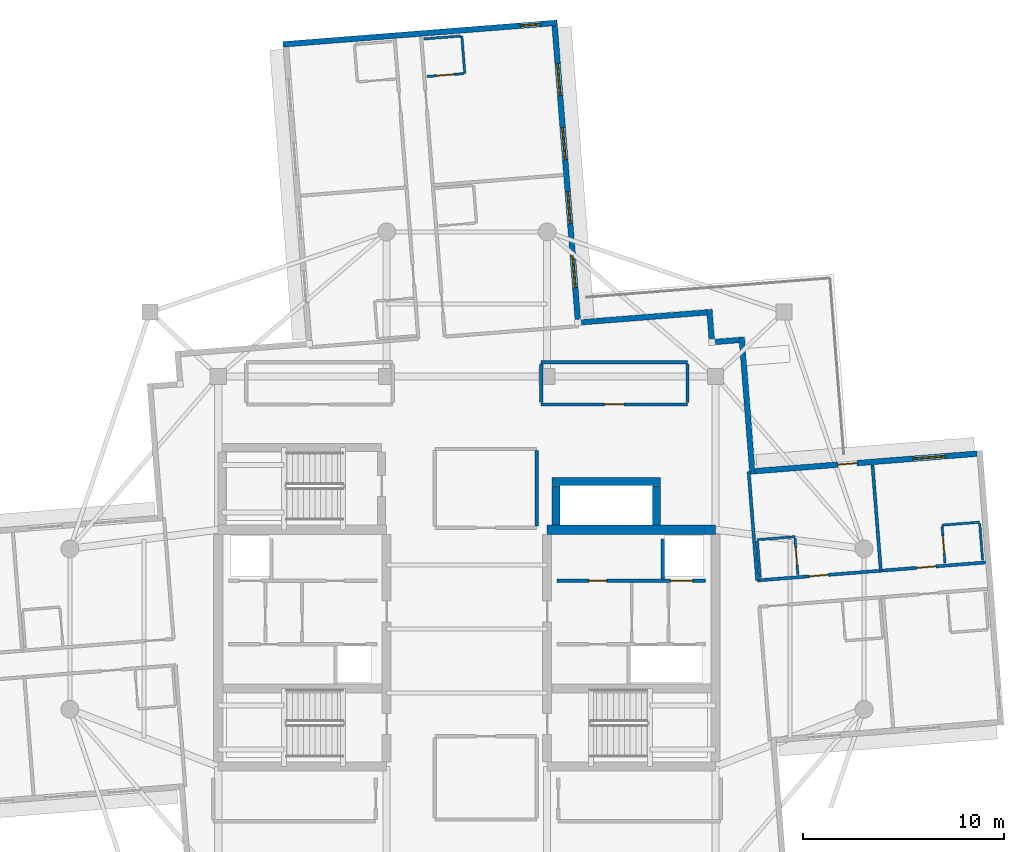
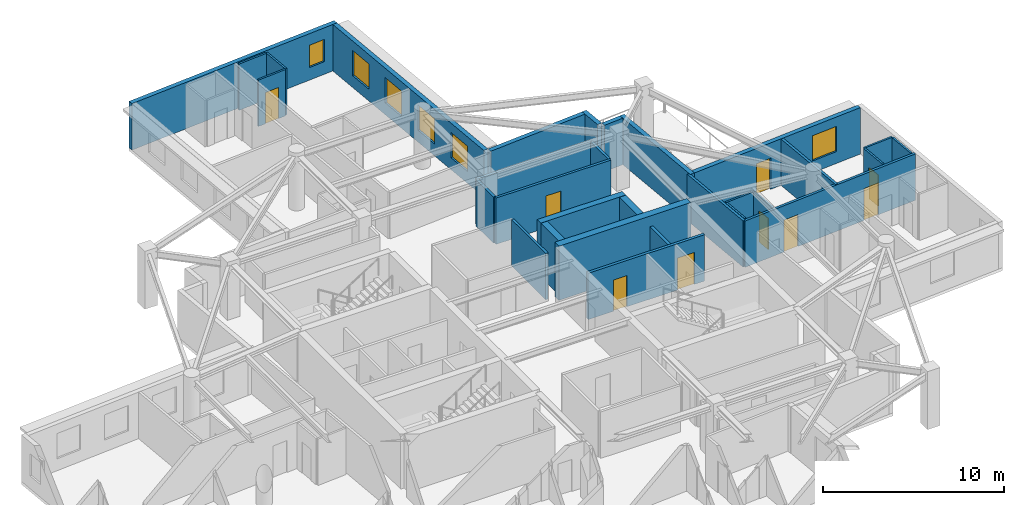
# One storey, part 8 of 13: 30 walls, 9 doors, 6 windows, 15 openings.
"""IFC4 building model written with IfcOpenShell, lengths in metres."""

from ifc_helpers import new_model, si_unit, direction, frame, frame_2d, origin, place, context, subcontext, project, spatial, rectangle, extrude, material, layer, layer_set, type_object, element, fill, save


model = new_model("IFC4")

# Units and contexts
model_context = context("Model", 3, precision=1e-05, world=origin(), true_north=direction((0.0, 1.0)))
body_context = subcontext(model_context, "Body", "Model", "MODEL_VIEW")
ifc_project = project(units=[si_unit("LENGTHUNIT", "METRE"), si_unit("AREAUNIT", "SQUARE_METRE"), si_unit("VOLUMEUNIT", "CUBIC_METRE"), si_unit("PLANEANGLEUNIT", "RADIAN"), si_unit("MASSUNIT", "GRAM", prefix="KILO")], contexts=[model_context])

# Site, building, storey
site_placement = place(None, origin())
site = spatial("IfcSite", under=ifc_project, at=site_placement, CompositionType="ELEMENT")
building_placement = place(site_placement, origin())
building = spatial("IfcBuilding", under=site, at=building_placement, Name="Qingluan Cross Belvedere", CompositionType="ELEMENT")
storey_placement = place(building_placement, frame((0.0, 0.0, 285.0)))
storey = spatial("IfcBuildingStorey", under=building, at=storey_placement, Name="L71", CompositionType="ELEMENT", Elevation=285.0)

# Walls
ifc_material_1 = material(Name="Concrete C50", Category="concrete")
ifc_layer_1 = layer(ifc_material_1, 0.449951171875, Name="CoreShearWall_450")
ifc_layer_set_1 = layer_set([ifc_layer_1], Name="Concrete C50")
wall_type_1 = type_object("IfcWallType", Name="CoreShearWall_450", PredefinedType="SHEAR", material=ifc_layer_set_1)
wall_1_placement = place(storey_placement, frame((4.0, 4.949951171875, 0.0), z_axis=(0.0, 0.0, 1.0), x_axis=(1.0, 0.0, 0.0)))
element("IfcWall", 1, at=wall_1_placement, inside=storey, type_object=wall_type_1, Name="Split core E shear wall L71-N", PredefinedType="SHEAR", context=body_context, shape_type="SweptSolid", body=[
    extrude(rectangle(XDim=8.39990234375, YDim=0.449951171875, at=frame_2d((4.199951171875, 0.0))), origin(), (0.0, 0.0, 1.0), 3.64990234375),
])
wall_2_placement = place(storey_placement, frame((4.449951171875, 5.179931640625, 0.0), z_axis=(0.0, 0.0, 1.0), x_axis=(0.0, 1.0, 0.0)))
element("IfcWall", 2, at=wall_2_placement, inside=storey, type_object=wall_type_1, Name="Express shuttle core wall L71-W", PredefinedType="SHEAR", context=body_context, shape_type="SweptSolid", body=[
    extrude(rectangle(XDim=1.9599609375, YDim=0.39990234375, at=frame_2d((0.97998046875, 0.0))), origin(), (0.0, 0.0, 1.0), 3.64990234375),
])
wall_3_placement = place(storey_placement, frame((4.25, 7.35009765625, 0.0), z_axis=(0.0, 0.0, 1.0), x_axis=(1.0, 0.0, 0.0)))
element("IfcWall", 3, at=wall_3_placement, inside=storey, type_object=wall_type_1, Name="Express shuttle core wall L71-N", PredefinedType="SHEAR", context=body_context, shape_type="SweptSolid", body=[
    extrude(rectangle(XDim=5.39990234375, YDim=0.39990234375, at=frame_2d((2.699951171875, 0.0))), origin(), (0.0, 0.0, 1.0), 3.64990234375),
])
wall_4_placement = place(storey_placement, frame((9.449951171875, 5.179931640625, 0.0), z_axis=(0.0, 0.0, 1.0), x_axis=(0.0, 1.0, 0.0)))
element("IfcWall", 4, at=wall_4_placement, inside=storey, type_object=wall_type_1, Name="Express shuttle core wall L71-E", PredefinedType="SHEAR", context=body_context, shape_type="SweptSolid", body=[
    extrude(rectangle(XDim=1.9599609375, YDim=0.39990234375, at=frame_2d((0.97998046875, 0.0))), origin(), (0.0, 0.0, 1.0), 3.64990234375),
])

# Wall, opening, door
ifc_material_2 = material(Name="Gypsum plasterboard on steel stud acoustic partition", Category="steel")
ifc_layer_2 = layer(ifc_material_2, 0.159912109375, Name="CorridorPartition_160")
ifc_layer_set_2 = layer_set([ifc_layer_2], Name="Gypsum plasterboard on steel stud acoustic partition")
wall_type_2 = type_object("IfcWallType", Name="CorridorPartition_160", PredefinedType="PARTITIONING", material=ifc_layer_set_2)
wall_5_placement = place(storey_placement, frame((3.699951171875, 11.199951171875, 0.0), z_axis=(0.0, 0.0, 1.0), x_axis=(1.0, 0.0, 0.0)))
wall_5 = element("IfcWall", 5, at=wall_5_placement, inside=storey, type_object=wall_type_2, Name="Partition L71:q_ne:S", PredefinedType="PARTITIONING", context=body_context, shape_type="SweptSolid", body=[
    extrude(rectangle(XDim=7.300048828125, YDim=0.159912109375, at=frame_2d((3.64990234375, 0.0))), origin(), (0.0, 0.0, 1.0), 3.1201171875),
])
opening_1_placement = place(wall_5_placement, frame((3.169921875, 0.0, 0.0)))
opening_1 = element("IfcOpeningElement", 6, at=opening_1_placement, cuts=wall_5, Name="Opening GD-10", PredefinedType="OPENING", context=body_context, shape_type="SweptSolid", body=[
    extrude(rectangle(XDim=0.9599609375, YDim=2.14990234375, at=frame_2d((0.47998046875, 1.074951171875))), frame((0.0, 0.08984375, 0.0), z_axis=(0.0, -1.0, 0.0), x_axis=(1.0, 0.0, 0.0)), (0.0, 0.0, 1.0), 0.179931640625),
])
ifc_material_3 = material(Name="Timber oak fire-rated acoustic guestroom door", Category="wood")
door_type_1 = type_object("IfcDoorType", Name="GuestEntryDoor_FD60", OperationType="NOTDEFINED", PredefinedType="DOOR", material=ifc_material_3)
door_1_placement = place(opening_1_placement, origin())
door_1 = element("IfcDoor", 7, at=door_1_placement, inside=storey, type_object=door_type_1, Name="Summit dining salon L71 door", OperationType="SINGLE_SWING_LEFT", OverallHeight=2.14990234375, OverallWidth=0.9599609375, PredefinedType="DOOR", context=body_context, shape_type="SweptSolid", body=[
    extrude(rectangle(XDim=0.9599609375, YDim=2.14990234375, at=frame_2d((0.47998046875, 1.074951171875))), frame((0.0, 0.02490234375, 0.0), z_axis=(0.0, -1.0, 0.0), x_axis=(1.0, 0.0, 0.0)), (0.0, 0.0, 1.0), 0.050048828125),
])
fill(opening_1, door_1)

# Walls
wall_6_placement = place(storey_placement, frame((3.699951171875, 13.300048828125, 0.0), z_axis=(0.0, 0.0, 1.0), x_axis=(1.0, 0.0, 0.0)))
element("IfcWall", 8, at=wall_6_placement, inside=storey, type_object=wall_type_2, Name="Partition L71:q_ne:N", PredefinedType="PARTITIONING", context=body_context, shape_type="SweptSolid", body=[
    extrude(rectangle(XDim=7.300048828125, YDim=0.159912109375, at=frame_2d((3.64990234375, 0.0))), origin(), (0.0, 0.0, 1.0), 3.1201171875),
])
for number, where, z_axis, x_axis, name in (
    (9, (3.699951171875, 11.284912109375, 0.0), (0.0, 0.0, 1.0), (0.0, 1.0, 0.0), "Partition L71:q_ne:W"),
    (10, (11.0, 11.284912109375, 0.0), (0.0, 0.0, 1.0), (0.0, 1.0, 0.0), "Partition L71:q_ne:E"),
):
    element("IfcWall", number, at=place(storey_placement, frame(where, z_axis=z_axis, x_axis=x_axis)), inside=storey, type_object=wall_type_2, Name=name, PredefinedType="PARTITIONING", context=body_context, shape_type="SweptSolid", body=[
        extrude(rectangle(XDim=1.93017578125, YDim=0.159912109375, at=frame_2d((0.965087890625, 0.0))), origin(), (0.0, 0.0, 1.0), 3.1201171875),
    ])
wall_7_placement = place(storey_placement, frame((3.47998046875, 5.135009765625, 0.0), z_axis=(0.0, 0.0, 1.0), x_axis=(0.0, 1.0, 0.0)))
element("IfcWall", 11, at=wall_7_placement, inside=storey, type_object=wall_type_2, Name="Partition L71:sky_tea_alcove:E", PredefinedType="PARTITIONING", context=body_context, shape_type="SweptSolid", body=[
    extrude(rectangle(XDim=3.760009765625, YDim=0.159912109375, at=frame_2d((1.8798828125, 0.0))), origin(), (0.0, 0.0, 1.0), 3.1201171875),
])

# Wall, openings, doors
wall_8_placement = place(storey_placement, frame((14.474609375, 2.423095703125, 0.0), z_axis=(0.0, 0.0, 1.0), x_axis=(0.996916364518, 0.078471409795, 0.0)))
wall_8 = element("IfcWall", 12, at=wall_8_placement, inside=storey, type_object=wall_type_2, Name="Partition L71:E:c0", PredefinedType="PARTITIONING", context=body_context, shape_type="SweptSolid", body=[
    extrude(rectangle(XDim=11.411865234375, YDim=0.159912109375, at=frame_2d((5.7060546875, 0.0))), origin(), (0.0, 0.0, 1.0), 3.1201171875),
])
opening_2_placement = place(wall_8_placement, frame((2.597900390625, 0.0, 0.0)))
opening_2 = element("IfcOpeningElement", 13, at=opening_2_placement, cuts=wall_8, Name="Opening GD-10", PredefinedType="OPENING", context=body_context, shape_type="SweptSolid", body=[
    extrude(rectangle(XDim=0.9599609375, YDim=2.14990234375, at=frame_2d((0.47998046875, 1.074951171875))), frame((0.0, 0.08984375, 0.0), z_axis=(0.0, -1.0, 0.0), x_axis=(1.0, 0.0, 0.0)), (0.0, 0.0, 1.0), 0.179931640625),
])
opening_3_placement = place(wall_8_placement, frame((7.97412109375, 0.0, 0.0)))
opening_3 = element("IfcOpeningElement", 14, at=opening_3_placement, cuts=wall_8, Name="Opening GD-10", PredefinedType="OPENING", context=body_context, shape_type="SweptSolid", body=[
    extrude(rectangle(XDim=0.9599609375, YDim=2.14990234375, at=frame_2d((0.47998046875, 1.074951171875))), frame((0.0, 0.08984375, 0.0), z_axis=(0.0, -1.0, 0.0), x_axis=(1.0, 0.0, 0.0)), (0.0, 0.0, 1.0), 0.179931640625),
])
door_2_placement = place(opening_2_placement, origin())
door_2 = element("IfcDoor", 15, at=door_2_placement, inside=storey, type_object=door_type_1, Name="Guest entry fire door 7101", OperationType="SINGLE_SWING_RIGHT", OverallHeight=2.14990234375, OverallWidth=0.9599609375, PredefinedType="DOOR", context=body_context, shape_type="SweptSolid", body=[
    extrude(rectangle(XDim=0.9599609375, YDim=2.14990234375, at=frame_2d((0.47998046875, 1.074951171875))), frame((0.0, 0.02490234375, 0.0), z_axis=(0.0, -1.0, 0.0), x_axis=(1.0, 0.0, 0.0)), (0.0, 0.0, 1.0), 0.050048828125),
])
fill(opening_2, door_2)
door_3_placement = place(opening_3_placement, origin())
door_3 = element("IfcDoor", 16, at=door_3_placement, inside=storey, type_object=door_type_1, Name="Guest entry fire door 7102", OperationType="SINGLE_SWING_RIGHT", OverallHeight=2.14990234375, OverallWidth=0.9599609375, PredefinedType="DOOR", context=body_context, shape_type="SweptSolid", body=[
    extrude(rectangle(XDim=0.9599609375, YDim=2.14990234375, at=frame_2d((0.47998046875, 1.074951171875))), frame((0.0, 0.02490234375, 0.0), z_axis=(0.0, -1.0, 0.0), x_axis=(1.0, 0.0, 0.0)), (0.0, 0.0, 1.0), 0.050048828125),
])
fill(opening_3, door_3)

# Walls
wall_9_placement = place(storey_placement, frame((14.474609375, 2.423095703125, 0.0), z_axis=(0.0, 0.0, 1.0), x_axis=(-0.078491221469, 0.996914804862, 0.0)))
element("IfcWall", 17, at=wall_9_placement, inside=storey, type_object=wall_type_2, Name="Partition L71:E:s0", PredefinedType="PARTITIONING", context=body_context, shape_type="SweptSolid", body=[
    extrude(rectangle(XDim=5.440185546875, YDim=0.159912109375, at=frame_2d((2.72021484375, 0.0))), origin(), (0.0, 0.0, 1.0), 3.1201171875),
])
wall_10_placement = place(storey_placement, frame((20.635498046875, 2.907958984375, 0.0), z_axis=(0.0, 0.0, 1.0), x_axis=(-0.078474447191, 0.996916125428, 0.0)))
element("IfcWall", 18, at=wall_10_placement, inside=storey, type_object=wall_type_2, Name="Partition L71:E:d0_0", PredefinedType="PARTITIONING", context=body_context, shape_type="SweptSolid", body=[
    extrude(rectangle(XDim=5.2919921875, YDim=0.159912109375, at=frame_2d((2.64599609375, 0.0))), origin(), (0.0, 0.0, 1.0), 3.1201171875),
])

# Wall, opening, door
ifc_material_4 = material(Name="Moisture-resistant gypsum board lining")
ifc_layer_3 = layer(ifc_material_4, 0.1201171875, Name="EnsuiteWetPartition_120")
ifc_layer_set_3 = layer_set([ifc_layer_3], Name="Moisture-resistant gypsum board lining")
wall_type_3 = type_object("IfcWallType", Name="EnsuiteWetPartition_120", PredefinedType="PARTITIONING", material=ifc_layer_set_3)
wall_11_placement = place(storey_placement, frame((16.497314453125, 2.722900390625, 0.0), z_axis=(0.0, 0.0, 1.0), x_axis=(-0.078481444107, 0.996915574626, 0.0)))
wall_11 = element("IfcWall", 19, at=wall_11_placement, inside=storey, type_object=wall_type_3, Name="Partition L71:E:bs0_0", PredefinedType="PARTITIONING", context=body_context, shape_type="SweptSolid", body=[
    extrude(rectangle(XDim=1.81982421875, YDim=0.1201171875, at=frame_2d((0.909912109375, 0.0))), origin(), (0.0, 0.0, 1.0), 3.1201171875),
])
opening_4_placement = place(wall_11_placement, frame((0.469970703125, 0.0, 0.0)))
opening_4 = element("IfcOpeningElement", 20, at=opening_4_placement, cuts=wall_11, Name="Opening BD-09", PredefinedType="OPENING", context=body_context, shape_type="SweptSolid", body=[
    extrude(rectangle(XDim=0.8798828125, YDim=2.10009765625, at=frame_2d((0.43994140625, 1.050048828125))), frame((0.0, 0.070068359375, 0.0), z_axis=(0.0, -1.0, 0.0), x_axis=(1.0, 0.0, 0.0)), (0.0, 0.0, 1.0), 0.14013671875),
])
ifc_material_5 = material(Name="Moisture-sealed timber en-suite door", Category="wood")
door_type_2 = type_object("IfcDoorType", Name="BathroomDoor_880", OperationType="NOTDEFINED", PredefinedType="DOOR", material=ifc_material_5)
door_4_placement = place(opening_4_placement, origin())
door_4 = element("IfcDoor", 21, at=door_4_placement, inside=storey, type_object=door_type_2, Name="Bathroom door 7101", OperationType="SINGLE_SWING_LEFT", OverallHeight=2.10009765625, OverallWidth=0.8798828125, PredefinedType="DOOR", context=body_context, shape_type="SweptSolid", body=[
    extrude(rectangle(XDim=0.8798828125, YDim=2.10009765625, at=frame_2d((0.43994140625, 1.050048828125))), frame((0.0, 0.02490234375, 0.0), z_axis=(0.0, -1.0, 0.0), x_axis=(1.0, 0.0, 0.0)), (0.0, 0.0, 1.0), 0.050048828125),
])
fill(opening_4, door_4)

# Walls
wall_12_placement = place(storey_placement, frame((14.623046875, 2.5751953125, 0.0), z_axis=(0.0, 0.0, 1.0), x_axis=(-0.0784709492, 0.996916400774, 0.0)))
element("IfcWall", 22, at=wall_12_placement, inside=storey, type_object=wall_type_3, Name="Partition L71:E:bw0_0", PredefinedType="PARTITIONING", context=body_context, shape_type="SweptSolid", body=[
    extrude(rectangle(XDim=1.820068359375, YDim=0.1201171875, at=frame_2d((0.91015625, 0.0))), origin(), (0.0, 0.0, 1.0), 3.1201171875),
])
wall_13_placement = place(storey_placement, frame((14.47509765625, 4.454345703125, 0.0), z_axis=(0.0, 0.0, 1.0), x_axis=(0.996919293781, 0.07843418698, 0.0)))
element("IfcWall", 23, at=wall_13_placement, inside=storey, type_object=wall_type_3, Name="Partition L71:E:bn0_0", PredefinedType="PARTITIONING", context=body_context, shape_type="SweptSolid", body=[
    extrude(rectangle(XDim=1.880126953125, YDim=0.1201171875, at=frame_2d((0.93994140625, 0.0))), origin(), (0.0, 0.0, 1.0), 3.1201171875),
])

# Wall, opening, door
wall_14_placement = place(storey_placement, frame((23.83447265625, 3.30029296875, 0.0), z_axis=(0.0, 0.0, 1.0), x_axis=(-0.078481444107, 0.996915574626, 0.0)))
wall_14 = element("IfcWall", 24, at=wall_14_placement, inside=storey, type_object=wall_type_3, Name="Partition L71:E:bs0_1", PredefinedType="PARTITIONING", context=body_context, shape_type="SweptSolid", body=[
    extrude(rectangle(XDim=1.81982421875, YDim=0.1201171875, at=frame_2d((0.909912109375, 0.0))), origin(), (0.0, 0.0, 1.0), 3.1201171875),
])
opening_5_placement = place(wall_14_placement, frame((0.469970703125, 0.0, 0.0)))
opening_5 = element("IfcOpeningElement", 25, at=opening_5_placement, cuts=wall_14, Name="Opening BD-09", PredefinedType="OPENING", context=body_context, shape_type="SweptSolid", body=[
    extrude(rectangle(XDim=0.8798828125, YDim=2.10009765625, at=frame_2d((0.43994140625, 1.050048828125))), frame((0.0, 0.070068359375, 0.0), z_axis=(0.0, -1.0, 0.0), x_axis=(1.0, 0.0, 0.0)), (0.0, 0.0, 1.0), 0.14013671875),
])
door_5_placement = place(opening_5_placement, origin())
door_5 = element("IfcDoor", 26, at=door_5_placement, inside=storey, type_object=door_type_2, Name="Bathroom door 7102", OperationType="SINGLE_SWING_LEFT", OverallHeight=2.10009765625, OverallWidth=0.8798828125, PredefinedType="DOOR", context=body_context, shape_type="SweptSolid", body=[
    extrude(rectangle(XDim=0.8798828125, YDim=2.10009765625, at=frame_2d((0.43994140625, 1.050048828125))), frame((0.0, 0.02490234375, 0.0), z_axis=(0.0, -1.0, 0.0), x_axis=(1.0, 0.0, 0.0)), (0.0, 0.0, 1.0), 0.050048828125),
])
fill(opening_5, door_5)

# Walls
wall_15_placement = place(storey_placement, frame((25.708740234375, 3.44775390625, 0.0), z_axis=(0.0, 0.0, 1.0), x_axis=(-0.0784709492, 0.996916400774, 0.0)))
element("IfcWall", 27, at=wall_15_placement, inside=storey, type_object=wall_type_3, Name="Partition L71:E:bw0_1", PredefinedType="PARTITIONING", context=body_context, shape_type="SweptSolid", body=[
    extrude(rectangle(XDim=1.820068359375, YDim=0.1201171875, at=frame_2d((0.91015625, 0.0))), origin(), (0.0, 0.0, 1.0), 3.1201171875),
])
wall_16_placement = place(storey_placement, frame((23.6865234375, 5.179443359375, 0.0), z_axis=(0.0, 0.0, 1.0), x_axis=(0.996919293781, 0.07843418698, 0.0)))
element("IfcWall", 28, at=wall_16_placement, inside=storey, type_object=wall_type_3, Name="Partition L71:E:bn0_1", PredefinedType="PARTITIONING", context=body_context, shape_type="SweptSolid", body=[
    extrude(rectangle(XDim=1.880126953125, YDim=0.1201171875, at=frame_2d((0.93994140625, 0.0))), origin(), (0.0, 0.0, 1.0), 3.1201171875),
])

# Wall, opening, door
wall_17_placement = place(storey_placement, frame((-1.987548828125, 27.549072265625, 0.0), z_axis=(0.0, 0.0, 1.0), x_axis=(0.996916400774, 0.0784709492, 0.0)))
wall_17 = element("IfcWall", 29, at=wall_17_placement, inside=storey, type_object=wall_type_3, Name="Partition L71:N:bs0_1", PredefinedType="PARTITIONING", context=body_context, shape_type="SweptSolid", body=[
    extrude(rectangle(XDim=1.820068359375, YDim=0.1201171875, at=frame_2d((0.91015625, 0.0))), origin(), (0.0, 0.0, 1.0), 3.1201171875),
])
opening_6_placement = place(wall_17_placement, frame((0.469970703125, 0.0, 0.0)))
opening_6 = element("IfcOpeningElement", 30, at=opening_6_placement, cuts=wall_17, Name="Opening BD-09", PredefinedType="OPENING", context=body_context, shape_type="SweptSolid", body=[
    extrude(rectangle(XDim=0.8798828125, YDim=2.10009765625, at=frame_2d((0.43994140625, 1.050048828125))), frame((0.0, 0.070068359375, 0.0), z_axis=(0.0, -1.0, 0.0), x_axis=(1.0, 0.0, 0.0)), (0.0, 0.0, 1.0), 0.14013671875),
])
door_6_placement = place(opening_6_placement, origin())
door_6 = element("IfcDoor", 31, at=door_6_placement, inside=storey, type_object=door_type_2, Name="Bathroom door 7110", OperationType="SINGLE_SWING_LEFT", OverallHeight=2.10009765625, OverallWidth=0.8798828125, PredefinedType="DOOR", context=body_context, shape_type="SweptSolid", body=[
    extrude(rectangle(XDim=0.8798828125, YDim=2.10009765625, at=frame_2d((0.43994140625, 1.050048828125))), frame((0.0, 0.02490234375, 0.0), z_axis=(0.0, -1.0, 0.0), x_axis=(1.0, 0.0, 0.0)), (0.0, 0.0, 1.0), 0.050048828125),
])
fill(opening_6, door_6)

# Walls
wall_18_placement = place(storey_placement, frame((-2.135009765625, 29.423095703125, 0.0), z_axis=(0.0, 0.0, 1.0), x_axis=(0.996915574626, 0.078481444107, 0.0)))
element("IfcWall", 32, at=wall_18_placement, inside=storey, type_object=wall_type_3, Name="Partition L71:N:bw0_1", PredefinedType="PARTITIONING", context=body_context, shape_type="SweptSolid", body=[
    extrude(rectangle(XDim=1.81982421875, YDim=0.1201171875, at=frame_2d((0.909912109375, 0.0))), origin(), (0.0, 0.0, 1.0), 3.1201171875),
])
wall_19_placement = place(storey_placement, frame((-0.1083984375, 27.697021484375, 0.0), z_axis=(0.0, 0.0, 1.0), x_axis=(-0.078444342213, 0.99691849475, 0.0)))
element("IfcWall", 33, at=wall_19_placement, inside=storey, type_object=wall_type_3, Name="Partition L71:N:bn0_1", PredefinedType="PARTITIONING", context=body_context, shape_type="SweptSolid", body=[
    extrude(rectangle(XDim=1.8798828125, YDim=0.1201171875, at=frame_2d((0.93994140625, 0.0))), origin(), (0.0, 0.0, 1.0), 3.1201171875),
])

# Wall, openings, window, door
ifc_material_6 = material(Name="Precast concrete C45", Category="concrete")
ifc_layer_4 = layer(ifc_material_6, 0.280029296875, Name="PrecastFacadeWall_280")
ifc_layer_set_4 = layer_set([ifc_layer_4], Name="Precast concrete C45")
wall_type_4 = type_object("IfcWallType", Name="PrecastFacadeWall_280", PredefinedType="STANDARD", material=ifc_layer_set_4)
wall_20_placement = place(storey_placement, frame((25.4326171875, 8.742431640625, 0.0), z_axis=(0.0, 0.0, 1.0), x_axis=(-0.996917735529, -0.078453990262, 0.0)))
wall_20 = element("IfcWall", 34, at=wall_20_placement, inside=storey, type_object=wall_type_4, Name="Facade wall L71-EB", PredefinedType="STANDARD", context=body_context, shape_type="SweptSolid", body=[
    extrude(rectangle(XDim=11.10009765625, YDim=0.280029296875, at=frame_2d((5.550048828125, 0.0))), origin(), (0.0, 0.0, 1.0), 3.1298828125),
])
opening_7_placement = place(wall_20_placement, frame((1.60009765625, 0.0, 0.800048828125)))
opening_7 = element("IfcOpeningElement", 35, at=opening_7_placement, cuts=wall_20, Name="Opening W-04", PredefinedType="OPENING", context=body_context, shape_type="SweptSolid", body=[
    extrude(rectangle(XDim=1.60009765625, YDim=1.699951171875, at=frame_2d((0.800048828125, 0.85009765625))), frame((0.0, 0.14990234375, 0.0), z_axis=(0.0, -1.0, 0.0), x_axis=(1.0, 0.0, 0.0)), (0.0, 0.0, 1.0), 0.300048828125),
])
opening_8_placement = place(wall_20_placement, frame((6.0, 0.0, 0.0)))
opening_8 = element("IfcOpeningElement", 36, at=opening_8_placement, cuts=wall_20, Name="Opening WD-10", PredefinedType="OPENING", context=body_context, shape_type="SweptSolid", body=[
    extrude(rectangle(XDim=0.9599609375, YDim=2.10009765625, at=frame_2d((0.47998046875, 1.050048828125))), frame((0.0, 0.14990234375, 0.0), z_axis=(0.0, -1.0, 0.0), x_axis=(1.0, 0.0, 0.0)), (0.0, 0.0, 1.0), 0.300048828125),
])
ifc_material_7 = material(Name="Thermally broken triple Low-E glass in aluminium frame", Category="aluminium")
window_type_1 = type_object("IfcWindowType", Name="SuiteCornerWin_1600x1700", PartitioningType="SINGLE_PANEL", PredefinedType="WINDOW", material=ifc_material_7)
window_1_placement = place(opening_7_placement, origin())
window_1 = element("IfcWindow", 37, at=window_1_placement, inside=storey, type_object=window_type_1, Name="Ribbon window L71-EB-1", OverallHeight=1.699951171875, OverallWidth=1.60009765625, PartitioningType="SINGLE_PANEL", PredefinedType="WINDOW", context=body_context, shape_type="SweptSolid", body=[
    extrude(rectangle(XDim=1.60009765625, YDim=1.699951171875, at=frame_2d((0.800048828125, 0.85009765625))), frame((0.0, 0.030029296875, 0.0), z_axis=(0.0, -1.0, 0.0), x_axis=(1.0, 0.0, 0.0)), (0.0, 0.0, 1.0), 0.06005859375),
])
fill(opening_7, window_1)
ifc_material_8 = material(Name="Thermally broken aluminium and Low-E glass", Category="aluminium")
door_type_3 = type_object("IfcDoorType", Name="WinterGardenDoor_096", OperationType="NOTDEFINED", PredefinedType="DOOR", material=ifc_material_8)
door_7_placement = place(opening_8_placement, origin())
door_7 = element("IfcDoor", 38, at=door_7_placement, inside=storey, type_object=door_type_3, Name="Outdoor terrace access door L71-spi", OperationType="SINGLE_SWING_RIGHT", OverallHeight=2.10009765625, OverallWidth=0.9599609375, PredefinedType="DOOR", context=body_context, shape_type="SweptSolid", body=[
    extrude(rectangle(XDim=0.9599609375, YDim=2.10009765625, at=frame_2d((0.47998046875, 1.050048828125))), frame((0.0, 0.02490234375, 0.0), z_axis=(0.0, -1.0, 0.0), x_axis=(1.0, 0.0, 0.0)), (0.0, 0.0, 1.0), 0.050048828125),
])
fill(opening_8, door_7)

# Wall, openings, windows
wall_21_placement = place(storey_placement, frame((5.527099609375, 15.421142578125, 0.0), z_axis=(0.0, 0.0, 1.0), x_axis=(-0.078456642068, 0.996917526837, 0.0)))
wall_21 = element("IfcWall", 39, at=wall_21_placement, inside=storey, type_object=wall_type_4, Name="Facade wall L71-NA", PredefinedType="STANDARD", context=body_context, shape_type="SweptSolid", body=[
    extrude(rectangle(XDim=14.7001953125, YDim=0.280029296875, at=frame_2d((7.35009765625, 0.0))), origin(), (0.0, 0.0, 1.0), 3.1298828125),
])
opening_9_placement = place(wall_21_placement, frame((1.60009765625, 0.0, 0.800048828125)))
opening_9 = element("IfcOpeningElement", 40, at=opening_9_placement, cuts=wall_21, Name="Opening W-04", PredefinedType="OPENING", context=body_context, shape_type="SweptSolid", body=[
    extrude(rectangle(XDim=1.60009765625, YDim=1.699951171875, at=frame_2d((0.800048828125, 0.85009765625))), frame((0.0, 0.14990234375, 0.0), z_axis=(0.0, -1.0, 0.0), x_axis=(1.0, 0.0, 0.0)), (0.0, 0.0, 1.0), 0.300048828125),
])
opening_10_placement = place(wall_21_placement, frame((4.800048828125, 0.0, 0.800048828125)))
opening_10 = element("IfcOpeningElement", 41, at=opening_10_placement, cuts=wall_21, Name="Opening W-04", PredefinedType="OPENING", context=body_context, shape_type="SweptSolid", body=[
    extrude(rectangle(XDim=1.60009765625, YDim=1.699951171875, at=frame_2d((0.800048828125, 0.85009765625))), frame((0.0, 0.14990234375, 0.0), z_axis=(0.0, -1.0, 0.0), x_axis=(1.0, 0.0, 0.0)), (0.0, 0.0, 1.0), 0.300048828125),
])
opening_11_placement = place(wall_21_placement, frame((8.0, 0.0, 0.800048828125)))
opening_11 = element("IfcOpeningElement", 42, at=opening_11_placement, cuts=wall_21, Name="Opening W-04", PredefinedType="OPENING", context=body_context, shape_type="SweptSolid", body=[
    extrude(rectangle(XDim=1.60009765625, YDim=1.699951171875, at=frame_2d((0.800048828125, 0.85009765625))), frame((0.0, 0.14990234375, 0.0), z_axis=(0.0, -1.0, 0.0), x_axis=(1.0, 0.0, 0.0)), (0.0, 0.0, 1.0), 0.300048828125),
])
opening_12_placement = place(wall_21_placement, frame((11.199951171875, 0.0, 0.800048828125)))
opening_12 = element("IfcOpeningElement", 43, at=opening_12_placement, cuts=wall_21, Name="Opening W-04", PredefinedType="OPENING", context=body_context, shape_type="SweptSolid", body=[
    extrude(rectangle(XDim=1.60009765625, YDim=1.699951171875, at=frame_2d((0.800048828125, 0.85009765625))), frame((0.0, 0.14990234375, 0.0), z_axis=(0.0, -1.0, 0.0), x_axis=(1.0, 0.0, 0.0)), (0.0, 0.0, 1.0), 0.300048828125),
])
window_2_placement = place(opening_9_placement, origin())
window_2 = element("IfcWindow", 44, at=window_2_placement, inside=storey, type_object=window_type_1, Name="Ribbon window L71-NA-1", OverallHeight=1.699951171875, OverallWidth=1.60009765625, PartitioningType="SINGLE_PANEL", PredefinedType="WINDOW", context=body_context, shape_type="SweptSolid", body=[
    extrude(rectangle(XDim=1.60009765625, YDim=1.699951171875, at=frame_2d((0.800048828125, 0.85009765625))), frame((0.0, 0.030029296875, 0.0), z_axis=(0.0, -1.0, 0.0), x_axis=(1.0, 0.0, 0.0)), (0.0, 0.0, 1.0), 0.06005859375),
])
fill(opening_9, window_2)
window_3_placement = place(opening_10_placement, origin())
window_3 = element("IfcWindow", 45, at=window_3_placement, inside=storey, type_object=window_type_1, Name="Ribbon window L71-NA-2", OverallHeight=1.699951171875, OverallWidth=1.60009765625, PartitioningType="SINGLE_PANEL", PredefinedType="WINDOW", context=body_context, shape_type="SweptSolid", body=[
    extrude(rectangle(XDim=1.60009765625, YDim=1.699951171875, at=frame_2d((0.800048828125, 0.85009765625))), frame((0.0, 0.030029296875, 0.0), z_axis=(0.0, -1.0, 0.0), x_axis=(1.0, 0.0, 0.0)), (0.0, 0.0, 1.0), 0.06005859375),
])
fill(opening_10, window_3)
window_4_placement = place(opening_11_placement, origin())
window_4 = element("IfcWindow", 46, at=window_4_placement, inside=storey, type_object=window_type_1, Name="Ribbon window L71-NA-3", OverallHeight=1.699951171875, OverallWidth=1.60009765625, PartitioningType="SINGLE_PANEL", PredefinedType="WINDOW", context=body_context, shape_type="SweptSolid", body=[
    extrude(rectangle(XDim=1.60009765625, YDim=1.699951171875, at=frame_2d((0.800048828125, 0.85009765625))), frame((0.0, 0.030029296875, 0.0), z_axis=(0.0, -1.0, 0.0), x_axis=(1.0, 0.0, 0.0)), (0.0, 0.0, 1.0), 0.06005859375),
])
fill(opening_11, window_4)
window_5_placement = place(opening_12_placement, origin())
window_5 = element("IfcWindow", 47, at=window_5_placement, inside=storey, type_object=window_type_1, Name="Ribbon window L71-NA-4", OverallHeight=1.699951171875, OverallWidth=1.60009765625, PartitioningType="SINGLE_PANEL", PredefinedType="WINDOW", context=body_context, shape_type="SweptSolid", body=[
    extrude(rectangle(XDim=1.60009765625, YDim=1.699951171875, at=frame_2d((0.800048828125, 0.85009765625))), frame((0.0, 0.030029296875, 0.0), z_axis=(0.0, -1.0, 0.0), x_axis=(1.0, 0.0, 0.0)), (0.0, 0.0, 1.0), 0.06005859375),
])
fill(opening_12, window_5)

# Wall, opening, window
wall_22_placement = place(storey_placement, frame((4.502197265625, 30.226318359375, 0.0), z_axis=(0.0, 0.0, 1.0), x_axis=(-0.996917480881, -0.078457226018, 0.0)))
wall_22 = element("IfcWall", 48, at=wall_22_placement, inside=storey, type_object=wall_type_4, Name="Arm tip precast facade wall L71-N", PredefinedType="STANDARD", context=body_context, shape_type="SweptSolid", body=[
    extrude(rectangle(XDim=13.7197265625, YDim=0.280029296875, at=frame_2d((6.85986328125, 0.0))), origin(), (0.0, 0.0, 1.0), 3.1298828125),
])
opening_13_placement = place(wall_22_placement, frame((0.85009765625, 0.0, 0.85009765625)))
opening_13 = element("IfcOpeningElement", 49, at=opening_13_placement, cuts=wall_22, Name="Opening W-03", PredefinedType="OPENING", context=body_context, shape_type="SweptSolid", body=[
    extrude(rectangle(XDim=1.0, YDim=1.5, at=frame_2d((0.5, 0.75))), frame((0.0, 0.14990234375, 0.0), z_axis=(0.0, -1.0, 0.0), x_axis=(1.0, 0.0, 0.0)), (0.0, 0.0, 1.0), 0.300048828125),
])
ifc_material_9 = material(Name="Thermally broken triple Low-E glass in aluminium frame", Category="aluminium")
window_type_2 = type_object("IfcWindowType", Name="TriApexWin_1000x1500", PartitioningType="SINGLE_PANEL", PredefinedType="WINDOW", material=ifc_material_9)
window_6_placement = place(opening_13_placement, origin())
window_6 = element("IfcWindow", 50, at=window_6_placement, inside=storey, type_object=window_type_2, Name="Arm tip triangular window L71-N", OverallHeight=1.5, OverallWidth=1.0, PartitioningType="SINGLE_PANEL", PredefinedType="WINDOW", context=body_context, shape_type="SweptSolid", body=[
    extrude(rectangle(XDim=1.0, YDim=1.5, at=frame_2d((0.5, 0.75))), frame((0.0, 0.030029296875, 0.0), z_axis=(0.0, -1.0, 0.0), x_axis=(1.0, 0.0, 0.0)), (0.0, 0.0, 1.0), 0.06005859375),
])
fill(opening_13, window_6)

# Walls
wall_23_placement = place(storey_placement, frame((14.238037109375, 7.720947265625, 0.0), z_axis=(0.0, 0.0, 1.0), x_axis=(-0.078438149236, 0.996918982036, 0.0)))
element("IfcWall", 51, at=wall_23_placement, inside=storey, type_object=wall_type_4, Name="Corner wall L71-NE1", PredefinedType="STANDARD", context=body_context, shape_type="SweptSolid", body=[
    extrude(rectangle(XDim=6.860107421875, YDim=0.280029296875, at=frame_2d((3.43017578125, 0.0))), origin(), (0.0, 0.0, 1.0), 3.1298828125),
])
wall_24_placement = place(storey_placement, frame((13.5712890625, 14.4091796875, 0.0), z_axis=(0.0, 0.0, 1.0), x_axis=(-0.996918772, -0.078440818672, 0.0)))
element("IfcWall", 52, at=wall_24_placement, inside=storey, type_object=wall_type_4, Name="Corner wall L71-NE2", PredefinedType="STANDARD", context=body_context, shape_type="SweptSolid", body=[
    extrude(rectangle(XDim=1.219970703125, YDim=0.280029296875, at=frame_2d((0.60986328125, 0.0))), origin(), (0.0, 0.0, 1.0), 3.1298828125),
])
wall_25_placement = place(storey_placement, frame((12.20458984375, 14.442138671875, 0.0), z_axis=(0.0, 0.0, 1.0), x_axis=(-0.078451338629, 0.9969179442, 0.0)))
element("IfcWall", 53, at=wall_25_placement, inside=storey, type_object=wall_type_4, Name="Corner wall L71-NE3", PredefinedType="STANDARD", context=body_context, shape_type="SweptSolid", body=[
    extrude(rectangle(XDim=1.5, YDim=0.280029296875, at=frame_2d((0.75, 0.0))), origin(), (0.0, 0.0, 1.0), 3.1298828125),
])
wall_26_placement = place(storey_placement, frame((11.958251953125, 15.786865234375, 0.0), z_axis=(0.0, 0.0, 1.0), x_axis=(-0.996916125428, -0.078474447191, 0.0)))
element("IfcWall", 54, at=wall_26_placement, inside=storey, type_object=wall_type_4, Name="Corner wall L71-NE4", PredefinedType="STANDARD", context=body_context, shape_type="SweptSolid", body=[
    extrude(rectangle(XDim=6.300048828125, YDim=0.280029296875, at=frame_2d((3.14990234375, 0.0))), origin(), (0.0, 0.0, 1.0), 3.1298828125),
])

# Wall, openings, doors
ifc_material_10 = material(Name="Concrete C40", Category="concrete")
ifc_layer_5 = layer(ifc_material_10, 0.219970703125, Name="ShaftEnclosureWall_250")
ifc_layer_set_5 = layer_set([ifc_layer_5], Name="Concrete C40")
wall_type_5 = type_object("IfcWallType", Name="ShaftEnclosureWall_250", PredefinedType="SOLIDWALL", material=ifc_layer_set_5)
wall_27_placement = place(storey_placement, frame((4.47998046875, 2.409912109375, 0.0), z_axis=(0.0, 0.0, 1.0), x_axis=(1.0, 0.0, 0.0)))
wall_27 = element("IfcWall", 55, at=wall_27_placement, inside=storey, type_object=wall_type_5, Name="Core-E north hoistway wall L71", PredefinedType="SOLIDWALL", context=body_context, shape_type="SweptSolid", body=[
    extrude(rectangle(XDim=7.419921875, YDim=0.179931640625, at=frame_2d((3.7099609375, 0.0))), origin(), (0.0, 0.0, 1.0), 3.1201171875),
])
opening_14_placement = place(wall_27_placement, frame((5.669921875, 0.0, 0.0)))
opening_14 = element("IfcOpeningElement", 56, at=opening_14_placement, cuts=wall_27, Name="Opening LD-11", PredefinedType="OPENING", context=body_context, shape_type="SweptSolid", body=[
    extrude(rectangle(XDim=1.10009765625, YDim=2.14990234375, at=frame_2d((0.550048828125, 1.074951171875))), frame((0.0, 0.099853515625, 0.0), z_axis=(0.0, -1.0, 0.0), x_axis=(1.0, 0.0, 0.0)), (0.0, 0.0, 1.0), 0.199951171875),
])
opening_15_placement = place(wall_27_placement, frame((1.60009765625, 0.0, 0.0)))
opening_15 = element("IfcOpeningElement", 57, at=opening_15_placement, cuts=wall_27, Name="Opening FD-B10", PredefinedType="OPENING", context=body_context, shape_type="SweptSolid", body=[
    extrude(rectangle(XDim=0.8798828125, YDim=2.10009765625, at=frame_2d((0.43994140625, 1.050048828125))), frame((0.0, 0.099853515625, 0.0), z_axis=(0.0, -1.0, 0.0), x_axis=(1.0, 0.0, 0.0)), (0.0, 0.0, 1.0), 0.199951171875),
])
ifc_material_11 = material(Name="Brushed stainless steel centre-opening lift landing door", Category="steel")
door_type_4 = type_object("IfcDoorType", Name="LiftLandingSlidingDoor_1100", OperationType="DOUBLE_DOOR_SLIDING", PredefinedType="DOOR", material=ifc_material_11)
door_8_placement = place(opening_14_placement, origin())
door_8 = element("IfcDoor", 58, at=door_8_placement, inside=storey, type_object=door_type_4, Name="Lift landing sliding door FL2 L71", OperationType="DOUBLE_DOOR_SLIDING", OverallHeight=2.14990234375, OverallWidth=1.10009765625, PredefinedType="DOOR", context=body_context, shape_type="SweptSolid", body=[
    extrude(rectangle(XDim=1.10009765625, YDim=2.14990234375, at=frame_2d((0.550048828125, 1.074951171875))), frame((0.0, 0.02490234375, 0.0), z_axis=(0.0, -1.0, 0.0), x_axis=(1.0, 0.0, 0.0)), (0.0, 0.0, 1.0), 0.050048828125),
])
fill(opening_14, door_8)
ifc_material_12 = material(Name="Steel Class B service fire door", Category="steel")
door_type_5 = type_object("IfcDoorType", Name="RiserServiceFireDoor_FDB", OperationType="NOTDEFINED", PredefinedType="DOOR", material=ifc_material_12)
door_9_placement = place(opening_15_placement, origin())
door_9 = element("IfcDoor", 59, at=door_9_placement, inside=storey, type_object=door_type_5, Name="Pantry room door E L71", OperationType="SINGLE_SWING_LEFT", OverallHeight=2.10009765625, OverallWidth=0.8798828125, PredefinedType="DOOR", context=body_context, shape_type="SweptSolid", body=[
    extrude(rectangle(XDim=0.8798828125, YDim=2.10009765625, at=frame_2d((0.43994140625, 1.050048828125))), frame((0.0, 0.02490234375, 0.0), z_axis=(0.0, -1.0, 0.0), x_axis=(1.0, 0.0, 0.0)), (0.0, 0.0, 1.0), 0.050048828125),
])
fill(opening_15, door_9)

# Wall
wall_28_placement = place(storey_placement, frame((9.760009765625, 2.5, 0.0), z_axis=(0.0, 0.0, 1.0), x_axis=(0.0, 1.0, 0.0)))
element("IfcWall", 60, at=wall_28_placement, inside=storey, type_object=wall_type_5, Name="Hoistway enclosure divider FL2W L71", PredefinedType="SOLIDWALL", context=body_context, shape_type="SweptSolid", body=[
    extrude(rectangle(XDim=1.989990234375, YDim=0.179931640625, at=frame_2d((0.9951171875, 0.0))), origin(), (0.0, 0.0, 1.0), 3.1201171875),
])

save(model, "model.ifc")
